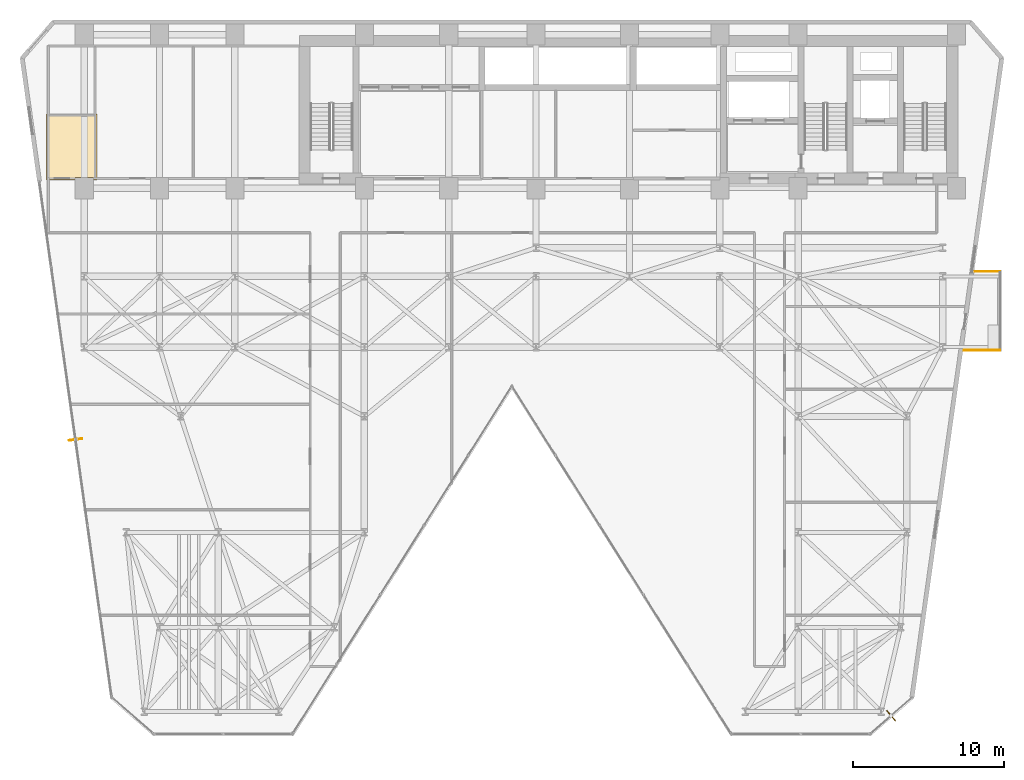
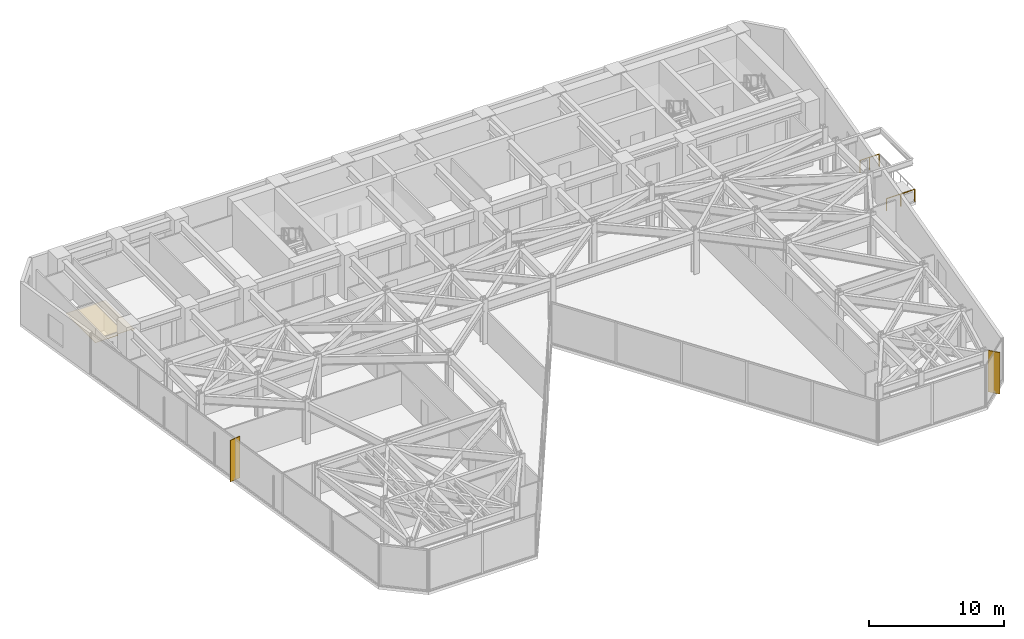
# One storey, part 23 of 25: 2 railings, 2 shading devices, 1 covering.
"""IFC4 building model written with IfcOpenShell, lengths in metres."""

from ifc_helpers import new_model, si_unit, direction, frame, origin, origin_2d, place, context, subcontext, project, spatial, polyline, rectangle, circle, outline, extrude, material, layer, layer_set, type_object, element, save


model = new_model("IFC4")

# Units and contexts
model_context = context("Model", 3, precision=1e-05, world=origin(), true_north=direction((0.0, 1.0)))
body_context = subcontext(model_context, "Body", "Model", "MODEL_VIEW")
ifc_project = project(units=[si_unit("LENGTHUNIT", "METRE"), si_unit("AREAUNIT", "SQUARE_METRE"), si_unit("VOLUMEUNIT", "CUBIC_METRE"), si_unit("PLANEANGLEUNIT", "RADIAN"), si_unit("MASSUNIT", "GRAM", prefix="KILO")], contexts=[model_context])

# Site, building, storey
site_placement = place(None, origin())
site = spatial("IfcSite", under=ifc_project, at=site_placement, CompositionType="ELEMENT")
building_placement = place(site_placement, origin())
building = spatial("IfcBuilding", under=site, at=building_placement, Name="Kravanh Interchange Tower", CompositionType="ELEMENT")
storey_placement = place(building_placement, frame((0.0, 0.0, 65.5)))
storey = spatial("IfcBuildingStorey", under=building, at=storey_placement, Name="L15", CompositionType="ELEMENT", Elevation=65.5)

# Covering
ifc_material_1 = material(Name="Acoustic Mineral Fibre Tile on Aluminium Grid", Category="aluminium")
ifc_layer_1 = layer(ifc_material_1, 0.02490234375)
ifc_layer_set_1 = layer_set([ifc_layer_1], Name="Perforated Acoustic Mineral Ceiling 25mm")
covering_type = type_object("IfcCoveringType", Name="Perforated Acoustic Mineral Ceiling 25mm", PredefinedType="CEILING", material=ifc_layer_set_1)
covering_placement = place(storey_placement, frame((0.0, 0.0, 2.550048828125)))
element("IfcCovering", 1, at=covering_placement, inside=storey, type_object=covering_type, Name="L15 Accessible WC Suspended Ceiling", PredefinedType="CEILING", context=body_context, shape_type="SweptSolid", body=[
    extrude(outline(polyline([(9.4599609375, 42.280029296875), (9.4599609375, 37.909912109375), (9.199951171875, 37.909912109375), (9.199951171875, 38.050048828125), (8.0, 38.050048828125), (8.0, 37.909912109375), (6.080078125, 37.909912109375), (6.080078125, 42.280029296875), (9.4599609375, 42.280029296875)])), origin(), (0.0, 0.0, 1.0), 0.02490234375),
])

# Railings
ifc_material_2 = material(Name="Stainless Steel 316", Category="steel")
ifc_layer_2 = layer(ifc_material_2, 0.06005859375)
ifc_layer_set_2 = layer_set([ifc_layer_2], Name="Perimeter Balcony and Terrace Guardrail Stainless 316 1120mm")
railing_type = type_object("IfcRailingType", Name="Perimeter Balcony and Terrace Guardrail Stainless 316 1120mm", PredefinedType="GUARDRAIL", material=ifc_layer_set_2)
railing_1_placement = place(storey_placement, frame((69.409912109375, 26.590087890625, 0.0)))
element("IfcRailing", 2, at=railing_1_placement, inside=storey, type_object=railing_type, Name="L15 E Balcony Guardrail 2", PredefinedType="GUARDRAIL", context=body_context, shape_type="SweptSolid", body=[
    extrude(circle(Radius=0.02392578125, at=origin_2d()), frame((0.0, 0.0, 1.09619140625), z_axis=(-1.0, 0.0, 0.0), x_axis=(0.0, -1.0, 0.0)), (0.0, 0.0, 1.0), 2.393310546875),
    extrude(circle(Radius=0.02099609375, at=origin_2d()), origin(), (0.0, 0.0, 1.0), 1.072021484375),
    extrude(circle(Radius=0.02099609375, at=origin_2d()), frame((-1.19677734375, 0.0, 0.0)), (0.0, 0.0, 1.0), 1.072021484375),
    extrude(circle(Radius=0.02099609375, at=origin_2d()), frame((-2.393310546875, 0.0, 0.0)), (0.0, 0.0, 1.0), 1.072021484375),
])
railing_2_placement = place(storey_placement, frame((67.753173828125, 31.830078125, 0.0)))
element("IfcRailing", 3, at=railing_2_placement, inside=storey, type_object=railing_type, Name="L15 E Balcony Guardrail 3", PredefinedType="GUARDRAIL", context=body_context, shape_type="SweptSolid", body=[
    extrude(circle(Radius=0.02392578125, at=origin_2d()), frame((0.0, 0.0, 1.09619140625), z_axis=(1.0, 0.0, 0.0), x_axis=(0.0, 1.0, 0.0)), (0.0, 0.0, 1.0), 1.65673828125),
    extrude(circle(Radius=0.02099609375, at=origin_2d()), origin(), (0.0, 0.0, 1.0), 1.072021484375),
    extrude(circle(Radius=0.02099609375, at=origin_2d()), frame((0.828369140625, 0.0, 0.0)), (0.0, 0.0, 1.0), 1.072021484375),
    extrude(circle(Radius=0.02099609375, at=origin_2d()), frame((1.65673828125, 0.0, 0.0)), (0.0, 0.0, 1.0), 1.072021484375),
])

# Shading devices
ifc_material_3 = material(Name="Anodised Champagne Bronze Aluminium", Category="aluminium")
ifc_layer_3 = layer(ifc_material_3, 0.06005859375)
ifc_layer_set_3 = layer_set([ifc_layer_3], Name="Vertical Bronze Solar Fin 900mm")
shading_device_type = type_object("IfcShadingDeviceType", Name="Vertical Bronze Solar Fin 900mm", PredefinedType="USERDEFINED", material=ifc_layer_set_3)
for number, where, z_axis, x_axis, name in (
    (4, (8.03271484375, 20.66845703125, 0.0), (0.0, 0.0, 1.0), (-0.990267798532, -0.139175023587, 0.0), "L15 BRONZE SOLAR FIN 1"),
    (5, (62.16943359375, 2.328369140625, 0.0), (0.0, 0.0, 1.0), (0.656067828783, -0.754701930589, 0.0), "L15 BRONZE SOLAR FIN 2"),
):
    element("IfcShadingDevice", number, at=place(storey_placement, frame(where, z_axis=z_axis, x_axis=x_axis)), inside=storey, type_object=shading_device_type, Name=name, ObjectType="FIN", PredefinedType="USERDEFINED", context=body_context, shape_type="SweptSolid", body=[
        extrude(rectangle(XDim=0.89990234375, YDim=0.06005859375, at=origin_2d()), origin(), (0.0, 0.0, 1.0), 3.739990234375),
    ])

save(model, "model.ifc")
